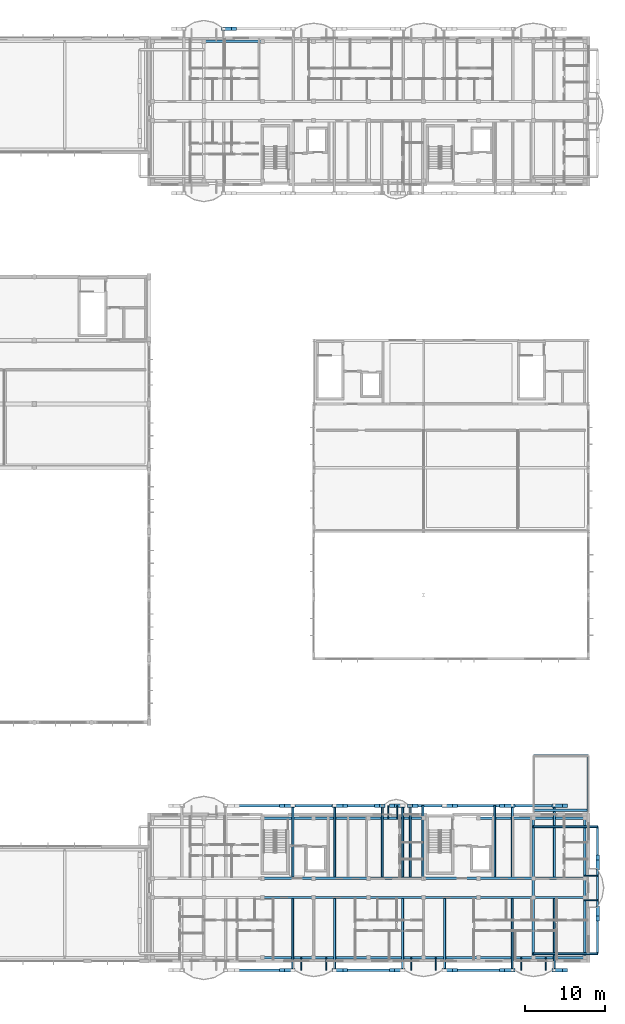
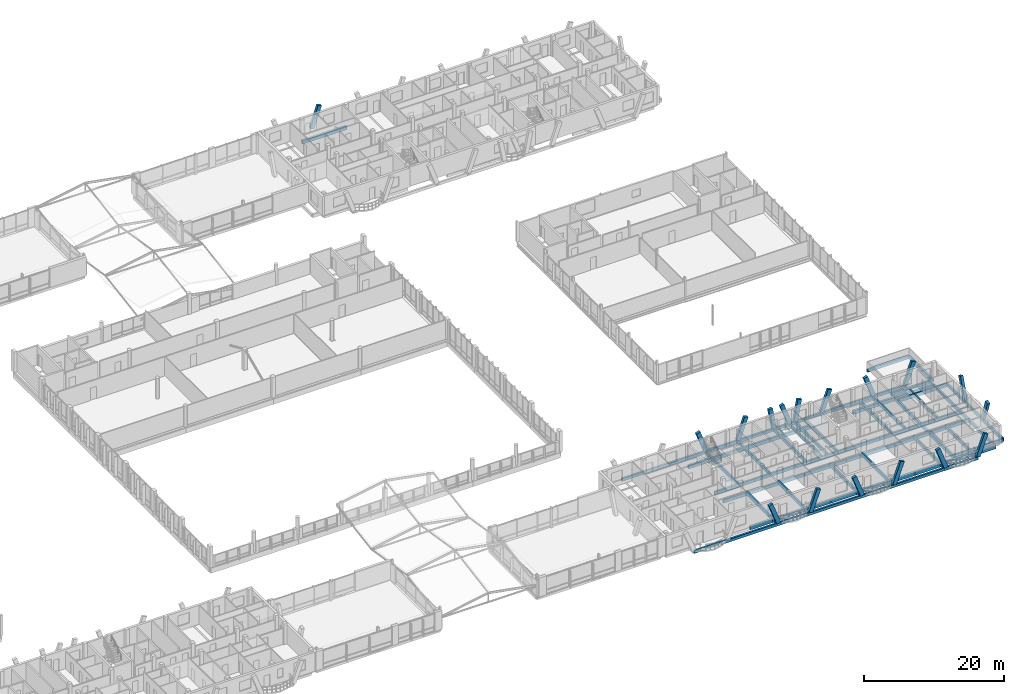
# One storey, part 107 of 189: 63 beams, 17 members.
"""IFC4 building model written with IfcOpenShell, lengths in metres."""

from ifc_helpers import new_model, si_unit, direction, frame, origin, origin_2d, place, context, subcontext, project, spatial, rectangle, i_section, extrude, material, material_profile, profile_set, type_object, element, save


model = new_model("IFC4")

# Units and contexts
model_context = context("Model", 3, precision=1e-05, world=origin(), true_north=direction((0.0, 1.0)))
body_context = subcontext(model_context, "Body", "Model", "MODEL_VIEW")
ifc_project = project(units=[si_unit("LENGTHUNIT", "METRE"), si_unit("AREAUNIT", "SQUARE_METRE"), si_unit("VOLUMEUNIT", "CUBIC_METRE"), si_unit("PLANEANGLEUNIT", "RADIAN"), si_unit("MASSUNIT", "GRAM", prefix="KILO")], contexts=[model_context])

# Site, building, storey
site_placement = place(None, origin())
site = spatial("IfcSite", under=ifc_project, at=site_placement, CompositionType="ELEMENT")
building_placement = place(site_placement, origin())
building = spatial("IfcBuilding", under=site, at=building_placement, Name="Zavelmont Quarter", CompositionType="ELEMENT")
storey_placement = place(building_placement, frame((0.0, 0.0, 4.39990234375)))
storey = spatial("IfcBuildingStorey", under=building, at=storey_placement, Name="L01", CompositionType="ELEMENT", Elevation=4.39990234375)

# Beams
ifc_material_1 = material(Name="Concrete C35/45", Category="concrete")
ifc_material_profile_1 = material_profile(ifc_material_1, rectangle(XDim=0.35009765625, YDim=0.60009765625, at=origin_2d()), Name="RC350X600")
ifc_profile_set_1 = profile_set([ifc_material_profile_1], Name="Concrete C35/45")
beam_type_1 = type_object("IfcBeamType", Name="BM01", PredefinedType="SPANDREL", material=ifc_profile_set_1)
beam_1_placement = place(storey_placement, frame((119.699951171875, 115.56005859375, -0.579833984375), z_axis=(1.0, 0.0, 0.0), x_axis=(0.0, 1.0, 0.0)))
element("IfcBeam", 1, at=beam_1_placement, inside=storey, type_object=beam_type_1, Name="L01 beam BM01 18/S to 19/S", PredefinedType="SPANDREL", context=body_context, shape_type="SweptSolid", body=[
    extrude(rectangle(XDim=0.35009765625, YDim=0.60009765625, at=origin_2d()), origin(), (0.0, 0.0, 1.0), 7.340087890625),
])
beam_2_placement = place(storey_placement, frame((127.0400390625, 0.43994140625, -0.579833984375), z_axis=(1.0, 0.0, 0.0), x_axis=(0.0, 1.0, 0.0)))
element("IfcBeam", 2, at=beam_2_placement, inside=storey, type_object=beam_type_1, Name="L01 beam BM01 19/A to 20/A", PredefinedType="SPANDREL", context=body_context, shape_type="SweptSolid", body=[
    extrude(rectangle(XDim=0.35009765625, YDim=0.60009765625, at=origin_2d()), origin(), (0.0, 0.0, 1.0), 6.4599609375),
])
beam_3_placement = place(storey_placement, frame((133.5, 0.43994140625, -0.579833984375), z_axis=(1.0, 0.0, 0.0), x_axis=(0.0, 1.0, 0.0)))
element("IfcBeam", 3, at=beam_3_placement, inside=storey, type_object=beam_type_1, Name="L01 beam BM01 20/A to 21/A", PredefinedType="SPANDREL", context=body_context, shape_type="SweptSolid", body=[
    extrude(rectangle(XDim=0.35009765625, YDim=0.60009765625, at=origin_2d()), origin(), (0.0, 0.0, 1.0), 6.89990234375),
])
beam_4_placement = place(storey_placement, frame((140.39990234375, 0.43994140625, -0.579833984375), z_axis=(1.0, 0.0, 0.0), x_axis=(0.0, 1.0, 0.0)))
element("IfcBeam", 4, at=beam_4_placement, inside=storey, type_object=beam_type_1, Name="L01 beam BM01 21/A to 22/A", PredefinedType="SPANDREL", context=body_context, shape_type="SweptSolid", body=[
    extrude(rectangle(XDim=0.35009765625, YDim=0.60009765625, at=origin_2d()), origin(), (0.0, 0.0, 1.0), 6.900146484375),
])
beam_5_placement = place(storey_placement, frame((147.300048828125, 0.43994140625, -0.579833984375), z_axis=(1.0, 0.0, 0.0), x_axis=(0.0, 1.0, 0.0)))
element("IfcBeam", 5, at=beam_5_placement, inside=storey, type_object=beam_type_1, Name="L01 beam BM01 22/A to 23/A", PredefinedType="SPANDREL", context=body_context, shape_type="SweptSolid", body=[
    extrude(rectangle(XDim=0.35009765625, YDim=0.60009765625, at=origin_2d()), origin(), (0.0, 0.0, 1.0), 6.89990234375),
])
beam_6_placement = place(storey_placement, frame((154.199951171875, 0.43994140625, -0.579833984375), z_axis=(1.0, 0.0, 0.0), x_axis=(0.0, 1.0, 0.0)))
element("IfcBeam", 6, at=beam_6_placement, inside=storey, type_object=beam_type_1, Name="L01 beam BM01 23/A to 24/A", PredefinedType="SPANDREL", context=body_context, shape_type="SweptSolid", body=[
    extrude(rectangle(XDim=0.35009765625, YDim=0.60009765625, at=origin_2d()), origin(), (0.0, 0.0, 1.0), 6.900146484375),
])
for number, where, z_axis, x_axis, name in (
    (7, (161.10009765625, 0.43994140625, -0.579833984375), (1.0, 0.0, 0.0), (0.0, 1.0, 0.0), "L01 beam BM01 24/A to 25/A"),
    (8, (127.0400390625, 17.9599609375, -0.579833984375), (1.0, 0.0, 0.0), (0.0, 1.0, 0.0), "L01 beam BM01 19/D to 20/D"),
):
    element("IfcBeam", number, at=place(storey_placement, frame(where, z_axis=z_axis, x_axis=x_axis)), inside=storey, type_object=beam_type_1, Name=name, PredefinedType="SPANDREL", context=body_context, shape_type="SweptSolid", body=[
        extrude(rectangle(XDim=0.35009765625, YDim=0.60009765625, at=origin_2d()), origin(), (0.0, 0.0, 1.0), 6.4599609375),
    ])
beam_7_placement = place(storey_placement, frame((133.5, 17.9599609375, -0.579833984375), z_axis=(1.0, 0.0, 0.0), x_axis=(0.0, 1.0, 0.0)))
element("IfcBeam", 9, at=beam_7_placement, inside=storey, type_object=beam_type_1, Name="L01 beam BM01 20/D to 21/D", PredefinedType="SPANDREL", context=body_context, shape_type="SweptSolid", body=[
    extrude(rectangle(XDim=0.35009765625, YDim=0.60009765625, at=origin_2d()), origin(), (0.0, 0.0, 1.0), 6.89990234375),
])
for number, where, z_axis, x_axis, name in (
    (10, (140.39990234375, 17.9599609375, -0.579833984375), (1.0, 0.0, 0.0), (0.0, 1.0, 0.0), "L01 beam BM01 21/D to 22/D"),
    (11, (154.199951171875, 17.9599609375, -0.579833984375), (1.0, 0.0, 0.0), (0.0, 1.0, 0.0), "L01 beam BM01 23/D to 24/D"),
):
    element("IfcBeam", number, at=place(storey_placement, frame(where, z_axis=z_axis, x_axis=x_axis)), inside=storey, type_object=beam_type_1, Name=name, PredefinedType="SPANDREL", context=body_context, shape_type="SweptSolid", body=[
        extrude(rectangle(XDim=0.35009765625, YDim=0.60009765625, at=origin_2d()), origin(), (0.0, 0.0, 1.0), 6.900146484375),
    ])
beam_8_placement = place(storey_placement, frame((161.10009765625, 17.9599609375, -0.579833984375), z_axis=(1.0, 0.0, 0.0), x_axis=(0.0, 1.0, 0.0)))
element("IfcBeam", 12, at=beam_8_placement, inside=storey, type_object=beam_type_1, Name="L01 beam BM01 24/D to 25/D", PredefinedType="SPANDREL", context=body_context, shape_type="SweptSolid", body=[
    extrude(rectangle(XDim=0.35009765625, YDim=0.60009765625, at=origin_2d()), origin(), (0.0, 0.0, 1.0), 6.4599609375),
])
ifc_material_profile_2 = material_profile(ifc_material_1, rectangle(XDim=0.300048828125, YDim=0.550048828125, at=origin_2d()), Name="RC300X550")
ifc_profile_set_2 = profile_set([ifc_material_profile_2], Name="Concrete C35/45")
beam_type_2 = type_object("IfcBeamType", Name="BM02", PredefinedType="SPANDREL", material=ifc_profile_set_2)
beam_9_placement = place(storey_placement, frame((127.0400390625, 8.0, -0.554931640625), z_axis=(1.0, 0.0, 0.0), x_axis=(0.0, 1.0, 0.0)))
element("IfcBeam", 13, at=beam_9_placement, inside=storey, type_object=beam_type_2, Name="L01 beam BM02 19/B to 20/B", PredefinedType="SPANDREL", context=body_context, shape_type="SweptSolid", body=[
    extrude(rectangle(XDim=0.300048828125, YDim=0.550048828125, at=origin_2d()), origin(), (0.0, 0.0, 1.0), 6.4599609375),
])
beam_10_placement = place(storey_placement, frame((133.5, 8.0, -0.554931640625), z_axis=(1.0, 0.0, 0.0), x_axis=(0.0, 1.0, 0.0)))
element("IfcBeam", 14, at=beam_10_placement, inside=storey, type_object=beam_type_2, Name="L01 beam BM02 20/B to 21/B", PredefinedType="SPANDREL", context=body_context, shape_type="SweptSolid", body=[
    extrude(rectangle(XDim=0.300048828125, YDim=0.550048828125, at=origin_2d()), origin(), (0.0, 0.0, 1.0), 6.89990234375),
])
beam_11_placement = place(storey_placement, frame((140.39990234375, 8.0, -0.554931640625), z_axis=(1.0, 0.0, 0.0), x_axis=(0.0, 1.0, 0.0)))
element("IfcBeam", 15, at=beam_11_placement, inside=storey, type_object=beam_type_2, Name="L01 beam BM02 21/B to 22/B", PredefinedType="SPANDREL", context=body_context, shape_type="SweptSolid", body=[
    extrude(rectangle(XDim=0.300048828125, YDim=0.550048828125, at=origin_2d()), origin(), (0.0, 0.0, 1.0), 6.900146484375),
])
beam_12_placement = place(storey_placement, frame((147.300048828125, 8.0, -0.554931640625), z_axis=(1.0, 0.0, 0.0), x_axis=(0.0, 1.0, 0.0)))
element("IfcBeam", 16, at=beam_12_placement, inside=storey, type_object=beam_type_2, Name="L01 beam BM02 22/B to 23/B", PredefinedType="SPANDREL", context=body_context, shape_type="SweptSolid", body=[
    extrude(rectangle(XDim=0.300048828125, YDim=0.550048828125, at=origin_2d()), origin(), (0.0, 0.0, 1.0), 6.89990234375),
])
beam_13_placement = place(storey_placement, frame((154.199951171875, 8.0, -0.554931640625), z_axis=(1.0, 0.0, 0.0), x_axis=(0.0, 1.0, 0.0)))
element("IfcBeam", 17, at=beam_13_placement, inside=storey, type_object=beam_type_2, Name="L01 beam BM02 23/B to 24/B", PredefinedType="SPANDREL", context=body_context, shape_type="SweptSolid", body=[
    extrude(rectangle(XDim=0.300048828125, YDim=0.550048828125, at=origin_2d()), origin(), (0.0, 0.0, 1.0), 6.900146484375),
])
for number, where, z_axis, x_axis, name in (
    (18, (161.10009765625, 8.0, -0.554931640625), (1.0, 0.0, 0.0), (0.0, 1.0, 0.0), "L01 beam BM02 24/B to 25/B"),
    (19, (127.0400390625, 10.39990234375, -0.554931640625), (1.0, 0.0, 0.0), (0.0, 1.0, 0.0), "L01 beam BM02 19/C to 20/C"),
):
    element("IfcBeam", number, at=place(storey_placement, frame(where, z_axis=z_axis, x_axis=x_axis)), inside=storey, type_object=beam_type_2, Name=name, PredefinedType="SPANDREL", context=body_context, shape_type="SweptSolid", body=[
        extrude(rectangle(XDim=0.300048828125, YDim=0.550048828125, at=origin_2d()), origin(), (0.0, 0.0, 1.0), 6.4599609375),
    ])
beam_14_placement = place(storey_placement, frame((133.5, 10.39990234375, -0.554931640625), z_axis=(1.0, 0.0, 0.0), x_axis=(0.0, 1.0, 0.0)))
element("IfcBeam", 20, at=beam_14_placement, inside=storey, type_object=beam_type_2, Name="L01 beam BM02 20/C to 21/C", PredefinedType="SPANDREL", context=body_context, shape_type="SweptSolid", body=[
    extrude(rectangle(XDim=0.300048828125, YDim=0.550048828125, at=origin_2d()), origin(), (0.0, 0.0, 1.0), 6.89990234375),
])
beam_15_placement = place(storey_placement, frame((140.39990234375, 10.39990234375, -0.554931640625), z_axis=(1.0, 0.0, 0.0), x_axis=(0.0, 1.0, 0.0)))
element("IfcBeam", 21, at=beam_15_placement, inside=storey, type_object=beam_type_2, Name="L01 beam BM02 21/C to 22/C", PredefinedType="SPANDREL", context=body_context, shape_type="SweptSolid", body=[
    extrude(rectangle(XDim=0.300048828125, YDim=0.550048828125, at=origin_2d()), origin(), (0.0, 0.0, 1.0), 6.900146484375),
])
beam_16_placement = place(storey_placement, frame((147.300048828125, 10.39990234375, -0.554931640625), z_axis=(1.0, 0.0, 0.0), x_axis=(0.0, 1.0, 0.0)))
element("IfcBeam", 22, at=beam_16_placement, inside=storey, type_object=beam_type_2, Name="L01 beam BM02 22/C to 23/C", PredefinedType="SPANDREL", context=body_context, shape_type="SweptSolid", body=[
    extrude(rectangle(XDim=0.300048828125, YDim=0.550048828125, at=origin_2d()), origin(), (0.0, 0.0, 1.0), 6.89990234375),
])
beam_17_placement = place(storey_placement, frame((154.199951171875, 10.39990234375, -0.554931640625), z_axis=(1.0, 0.0, 0.0), x_axis=(0.0, 1.0, 0.0)))
element("IfcBeam", 23, at=beam_17_placement, inside=storey, type_object=beam_type_2, Name="L01 beam BM02 23/C to 24/C", PredefinedType="SPANDREL", context=body_context, shape_type="SweptSolid", body=[
    extrude(rectangle(XDim=0.300048828125, YDim=0.550048828125, at=origin_2d()), origin(), (0.0, 0.0, 1.0), 6.900146484375),
])
beam_18_placement = place(storey_placement, frame((161.10009765625, 10.39990234375, -0.554931640625), z_axis=(1.0, 0.0, 0.0), x_axis=(0.0, 1.0, 0.0)))
element("IfcBeam", 24, at=beam_18_placement, inside=storey, type_object=beam_type_2, Name="L01 beam BM02 24/C to 25/C", PredefinedType="SPANDREL", context=body_context, shape_type="SweptSolid", body=[
    extrude(rectangle(XDim=0.300048828125, YDim=0.550048828125, at=origin_2d()), origin(), (0.0, 0.0, 1.0), 6.4599609375),
])
beam_19_placement = place(storey_placement, frame((161.10009765625, 0.43994140625, -0.554931640625), z_axis=(0.0, 1.0, 0.0), x_axis=(-1.0, 0.0, 0.0)))
element("IfcBeam", 25, at=beam_19_placement, inside=storey, type_object=beam_type_2, Name="L01 beam BM02 24/A to 24/B", PredefinedType="SPANDREL", context=body_context, shape_type="SweptSolid", body=[
    extrude(rectangle(XDim=0.300048828125, YDim=0.550048828125, at=origin_2d()), origin(), (0.0, 0.0, 1.0), 7.56005859375),
])
beam_20_placement = place(storey_placement, frame((161.10009765625, 8.0, -0.554931640625), z_axis=(0.0, 1.0, 0.0), x_axis=(-1.0, 0.0, 0.0)))
element("IfcBeam", 26, at=beam_20_placement, inside=storey, type_object=beam_type_2, Name="L01 beam BM02 24/B to 24/C", PredefinedType="SPANDREL", context=body_context, shape_type="SweptSolid", body=[
    extrude(rectangle(XDim=0.300048828125, YDim=0.550048828125, at=origin_2d()), origin(), (0.0, 0.0, 1.0), 2.39990234375),
])
for number, where, z_axis, x_axis, name in (
    (27, (161.10009765625, 10.39990234375, -0.554931640625), (0.0, 1.0, 0.0), (-1.0, 0.0, 0.0), "L01 beam BM02 24/C to 24/D"),
    (28, (167.56005859375, 0.43994140625, -0.554931640625), (0.0, 1.0, 0.0), (-1.0, 0.0, 0.0), "L01 beam BM02 25/A to 25/B"),
):
    element("IfcBeam", number, at=place(storey_placement, frame(where, z_axis=z_axis, x_axis=x_axis)), inside=storey, type_object=beam_type_2, Name=name, PredefinedType="SPANDREL", context=body_context, shape_type="SweptSolid", body=[
        extrude(rectangle(XDim=0.300048828125, YDim=0.550048828125, at=origin_2d()), origin(), (0.0, 0.0, 1.0), 7.56005859375),
    ])
beam_21_placement = place(storey_placement, frame((167.56005859375, 8.0, -0.554931640625), z_axis=(0.0, 1.0, 0.0), x_axis=(-1.0, 0.0, 0.0)))
element("IfcBeam", 29, at=beam_21_placement, inside=storey, type_object=beam_type_2, Name="L01 beam BM02 25/B to 25/C", PredefinedType="SPANDREL", context=body_context, shape_type="SweptSolid", body=[
    extrude(rectangle(XDim=0.300048828125, YDim=0.550048828125, at=origin_2d()), origin(), (0.0, 0.0, 1.0), 2.39990234375),
])
beam_22_placement = place(storey_placement, frame((167.56005859375, 10.39990234375, -0.554931640625), z_axis=(0.0, 1.0, 0.0), x_axis=(-1.0, 0.0, 0.0)))
element("IfcBeam", 30, at=beam_22_placement, inside=storey, type_object=beam_type_2, Name="L01 beam BM02 25/C to 25/D", PredefinedType="SPANDREL", context=body_context, shape_type="SweptSolid", body=[
    extrude(rectangle(XDim=0.300048828125, YDim=0.550048828125, at=origin_2d()), origin(), (0.0, 0.0, 1.0), 7.56005859375),
])
ifc_material_profile_3 = material_profile(ifc_material_1, rectangle(XDim=0.300048828125, YDim=0.5, at=origin_2d()), Name="RC300X500")
ifc_profile_set_3 = profile_set([ifc_material_profile_3], Name="Concrete C35/45")
beam_type_3 = type_object("IfcBeamType", Name="BM03", PredefinedType="BEAM", material=ifc_profile_set_3)
beam_23_placement = place(storey_placement, frame((161.10009765625, 25.800048828125, -0.4599609375), z_axis=(1.0, 0.0, 0.0), x_axis=(0.0, 1.0, 0.0)))
element("IfcBeam", 31, at=beam_23_placement, inside=storey, type_object=beam_type_3, Name="L01 beam BM03 24/E to 25/E", PredefinedType="BEAM", context=body_context, shape_type="SweptSolid", body=[
    extrude(rectangle(XDim=0.300048828125, YDim=0.5, at=origin_2d()), origin(), (0.0, 0.0, 1.0), 6.89990234375),
])
beam_24_placement = place(storey_placement, frame((168.0, 18.949951171875, -0.4599609375), z_axis=(0.0, 1.0, 0.0), x_axis=(-1.0, 0.0, 0.0)))
element("IfcBeam", 32, at=beam_24_placement, inside=storey, type_object=beam_type_3, Name="L01 beam BM03 25/D to 25/E", PredefinedType="BEAM", context=body_context, shape_type="SweptSolid", body=[
    extrude(rectangle(XDim=0.300048828125, YDim=0.5, at=origin_2d()), origin(), (0.0, 0.0, 1.0), 6.85009765625),
])
beam_25_placement = place(storey_placement, frame((161.10009765625, 18.949951171875, -0.4599609375), z_axis=(1.0, 0.0, 0.0), x_axis=(0.0, 1.0, 0.0)))
element("IfcBeam", 33, at=beam_25_placement, inside=storey, type_object=beam_type_3, Name="L01 beam BM03 24/D to 25/D", PredefinedType="BEAM", context=body_context, shape_type="SweptSolid", body=[
    extrude(rectangle(XDim=0.300048828125, YDim=0.5, at=origin_2d()), origin(), (0.0, 0.0, 1.0), 6.89990234375),
])
for number, where, z_axis, x_axis, name in (
    (34, (116.949951171875, -1.14990234375, -0.25), (1.0, 0.0, 0.0), (0.0, 1.0, 0.0), "L01 beam BM03 18/A to 24/A"),
    (35, (116.949951171875, 19.550048828125, -0.25), (1.0, 0.0, 0.0), (0.0, 1.0, 0.0), "L01 beam BM03 18/D to 24/D"),
):
    element("IfcBeam", number, at=place(storey_placement, frame(where, z_axis=z_axis, x_axis=x_axis)), inside=storey, type_object=beam_type_3, Name=name, PredefinedType="BEAM", context=body_context, shape_type="SweptSolid", body=[
        extrude(rectangle(XDim=0.300048828125, YDim=0.5, at=origin_2d()), origin(), (0.0, 0.0, 1.0), 46.782958984375),
    ])
beam_26_placement = place(storey_placement, frame((169.14990234375, 0.949951171875, -0.25), z_axis=(0.0, 1.0, 0.0), x_axis=(-1.0, 0.0, 0.0)))
element("IfcBeam", 36, at=beam_26_placement, inside=storey, type_object=beam_type_3, Name="L01 beam BM03 25/A to 25/D", PredefinedType="BEAM", context=body_context, shape_type="SweptSolid", body=[
    extrude(rectangle(XDim=0.300048828125, YDim=0.5, at=origin_2d()), origin(), (0.0, 0.0, 1.0), 15.949951171875),
])
ifc_material_2 = material(Name="Steel S355", Category="steel")
ifc_material_profile_4 = material_profile(ifc_material_2, i_section(OverallWidth=0.110107421875, OverallDepth=0.219970703125, WebThickness=0.005859375, FlangeThickness=0.00927734375, at=origin_2d()), Name="IPE 220")
ifc_profile_set_4 = profile_set([ifc_material_profile_4], Name="Steel S355")
beam_type_4 = type_object("IfcBeamType", Name="BM15", PredefinedType="JOIST", material=ifc_profile_set_4)
for number, where, z_axis, x_axis, name in (
    (37, (131.949951171875, 0.43994140625, -0.391845703125), (0.0, -1.0, 0.0), (1.0, 0.0, 0.0), "L01 beam BM15 20/A to 20/A"),
    (38, (135.050048828125, 0.43994140625, -0.391845703125), (0.0, -1.0, 0.0), (1.0, 0.0, 0.0), "L01 beam BM15 20/A to 20/A"),
    (39, (145.75, 0.43994140625, -0.391845703125), (0.0, -1.0, 0.0), (1.0, 0.0, 0.0), "L01 beam BM15 22/A to 22/A"),
    (40, (148.85009765625, 0.43994140625, -0.391845703125), (0.0, -1.0, 0.0), (1.0, 0.0, 0.0), "L01 beam BM15 22/A to 22/A"),
    (41, (159.550048828125, 0.43994140625, -0.391845703125), (0.0, -1.0, 0.0), (1.0, 0.0, 0.0), "L01 beam BM15 24/A to 24/A"),
    (42, (162.64990234375, 0.43994140625, -0.391845703125), (0.0, -1.0, 0.0), (1.0, 0.0, 0.0), "L01 beam BM15 24/A to 24/A"),
    (43, (167.56005859375, 7.64990234375, -0.391845703125), (1.0, 0.0, 0.0), (0.0, 1.0, 0.0), "L01 beam BM15 25/B to 25/B"),
    (44, (167.56005859375, 10.75, -0.391845703125), (1.0, 0.0, 0.0), (0.0, 1.0, 0.0), "L01 beam BM15 25/C to 25/C"),
):
    element("IfcBeam", number, at=place(storey_placement, frame(where, z_axis=z_axis, x_axis=x_axis)), inside=storey, type_object=beam_type_4, Name=name, PredefinedType="JOIST", context=body_context, shape_type="SweptSolid", body=[
        extrude(i_section(OverallWidth=0.110107421875, OverallDepth=0.219970703125, WebThickness=0.005859375, FlangeThickness=0.00927734375, at=origin_2d()), origin(), (0.0, 0.0, 1.0), 1.58984375),
    ])
for number, where, z_axis, x_axis, name in (
    (45, (142.87255859375, 17.9599609375, -0.391845703125), (0.0, 1.0, 0.0), (-1.0, 0.0, 0.0), "L01 beam BM15 21/D to 21/D"),
    (46, (143.997314453125, 17.9599609375, -0.391845703125), (0.0, 1.0, 0.0), (-1.0, 0.0, 0.0), "L01 beam BM15 22/D to 22/D"),
):
    element("IfcBeam", number, at=place(storey_placement, frame(where, z_axis=z_axis, x_axis=x_axis)), inside=storey, type_object=beam_type_4, Name=name, PredefinedType="JOIST", context=body_context, shape_type="SweptSolid", body=[
        extrude(i_section(OverallWidth=0.110107421875, OverallDepth=0.219970703125, WebThickness=0.005859375, FlangeThickness=0.00927734375, at=origin_2d()), origin(), (0.0, 0.0, 1.0), 1.590087890625),
    ])
ifc_material_3 = material(Name="Concrete C40/50", Category="concrete")
ifc_material_profile_5 = material_profile(ifc_material_3, rectangle(XDim=0.25, YDim=0.60009765625, at=origin_2d()), Name="RC250X600")
ifc_profile_set_5 = profile_set([ifc_material_profile_5], Name="Concrete C40/50")
beam_type_5 = type_object("IfcBeamType", Name="BM18", PredefinedType="BEAM", material=ifc_profile_set_5)
for number, where, z_axis, x_axis, name in (
    (47, (130.867431640625, 8.0, -0.2998046875), (0.0, -1.0, 0.0), (1.0, 0.0, 0.0), "L01 beam BM18 20/B to 20/A"),
    (48, (136.132568359375, 8.0, -0.2998046875), (0.0, -1.0, 0.0), (1.0, 0.0, 0.0), "L01 beam BM18 20/B to 20/A"),
    (49, (144.66748046875, 8.0, -0.2998046875), (0.0, -1.0, 0.0), (1.0, 0.0, 0.0), "L01 beam BM18 22/B to 22/A"),
    (50, (149.9326171875, 8.0, -0.2998046875), (0.0, -1.0, 0.0), (1.0, 0.0, 0.0), "L01 beam BM18 22/B to 22/A"),
    (51, (158.46728515625, 8.0, -0.2998046875), (0.0, -1.0, 0.0), (1.0, 0.0, 0.0), "L01 beam BM18 24/B to 24/A"),
    (52, (163.732666015625, 8.0, -0.2998046875), (0.0, -1.0, 0.0), (1.0, 0.0, 0.0), "L01 beam BM18 24/B to 24/A"),
):
    element("IfcBeam", number, at=place(storey_placement, frame(where, z_axis=z_axis, x_axis=x_axis)), inside=storey, type_object=beam_type_5, Name=name, PredefinedType="BEAM", context=body_context, shape_type="SweptSolid", body=[
        extrude(rectangle(XDim=0.25, YDim=0.60009765625, at=origin_2d()), origin(), (0.0, 0.0, 1.0), 9.14990234375),
    ])
for number, where, z_axis, x_axis, name in (
    (53, (130.867431640625, 10.39990234375, -0.2998046875), (0.0, 1.0, 0.0), (-1.0, 0.0, 0.0), "L01 beam BM18 20/C to 20/D"),
    (54, (136.132568359375, 10.39990234375, -0.2998046875), (0.0, 1.0, 0.0), (-1.0, 0.0, 0.0), "L01 beam BM18 20/C to 20/D"),
    (55, (144.66748046875, 10.39990234375, -0.2998046875), (0.0, 1.0, 0.0), (-1.0, 0.0, 0.0), "L01 beam BM18 22/C to 22/D"),
    (56, (147.199951171875, 10.39990234375, -0.2998046875), (0.0, 1.0, 0.0), (-1.0, 0.0, 0.0), "L01 beam BM18 22/C to 22/D"),
    (57, (156.22509765625, 10.39990234375, -0.2998046875), (0.0, 1.0, 0.0), (-1.0, 0.0, 0.0), "L01 beam BM18 23/C to 23/D"),
    (58, (158.46728515625, 10.39990234375, -0.2998046875), (0.0, 1.0, 0.0), (-1.0, 0.0, 0.0), "L01 beam BM18 24/C to 24/D"),
    (59, (163.732666015625, 10.39990234375, -0.2998046875), (0.0, 1.0, 0.0), (-1.0, 0.0, 0.0), "L01 beam BM18 24/C to 24/D"),
    (60, (142.1025390625, 10.39990234375, -0.2998046875), (0.0, 1.0, 0.0), (-1.0, 0.0, 0.0), "L01 beam BM18 21/C to 21/D"),
    (61, (145.597412109375, 10.39990234375, -0.2998046875), (0.0, 1.0, 0.0), (-1.0, 0.0, 0.0), "L01 beam BM18 22/C to 22/D"),
):
    element("IfcBeam", number, at=place(storey_placement, frame(where, z_axis=z_axis, x_axis=x_axis)), inside=storey, type_object=beam_type_5, Name=name, PredefinedType="BEAM", context=body_context, shape_type="SweptSolid", body=[
        extrude(rectangle(XDim=0.25, YDim=0.60009765625, at=origin_2d()), origin(), (0.0, 0.0, 1.0), 9.150146484375),
    ])
for number, where, z_axis, x_axis, name in (
    (62, (161.10009765625, 0.949951171875, -0.2998046875), (1.0, 0.0, 0.0), (0.0, 1.0, 0.0), "L01 beam BM18 24/A to 25/A"),
    (63, (161.10009765625, 16.89990234375, -0.2998046875), (1.0, 0.0, 0.0), (0.0, 1.0, 0.0), "L01 beam BM18 24/D to 25/D"),
):
    element("IfcBeam", number, at=place(storey_placement, frame(where, z_axis=z_axis, x_axis=x_axis)), inside=storey, type_object=beam_type_5, Name=name, PredefinedType="BEAM", context=body_context, shape_type="SweptSolid", body=[
        extrude(rectangle(XDim=0.25, YDim=0.60009765625, at=origin_2d()), origin(), (0.0, 0.0, 1.0), 8.0498046875),
    ])

# Members
ifc_material_4 = material(Name="White architectural precast concrete C40/50", Category="concrete")
ifc_material_profile_6 = material_profile(ifc_material_4, rectangle(XDim=0.43994140625, YDim=0.659912109375, at=origin_2d()), Name="PCR320X480")
ifc_profile_set_6 = profile_set([ifc_material_profile_6], Name="White architectural precast concrete C40/50")
member_type = type_object("IfcMemberType", Name="VR01M", PredefinedType="CHORD", material=ifc_profile_set_6)
member_placement = place(storey_placement, frame((122.2265625, 117.14990234375, 0.0), z_axis=(0.327431859499, 0.0, 0.944874794555), x_axis=(0.0, 1.0, 0.0)))
element("IfcMember", 64, at=member_placement, inside=storey, type_object=member_type, Name="L01 member VR01M 18/S to 19/S", PredefinedType="CHORD", context=body_context, shape_type="SweptSolid", body=[
    extrude(rectangle(XDim=0.43994140625, YDim=0.659912109375, at=origin_2d()), origin(), (0.0, 0.0, 1.0), 3.81005859375),
])
for number, where, z_axis, x_axis, name in (
    (65, (130.867431640625, -1.14990234375, 0.0), (-0.345608040191, 0.0, 0.93837896532), (0.0, -1.0, 0.0), "L01 member VR01M 20/A to 19/A"),
    (66, (136.132568359375, -1.14990234375, 0.0), (0.345608040191, 0.0, 0.93837896532), (0.0, 1.0, 0.0), "L01 member VR01M 20/A to 21/A"),
    (67, (144.66748046875, -1.14990234375, 0.0), (-0.345608040191, 0.0, 0.93837896532), (0.0, -1.0, 0.0), "L01 member VR01M 22/A to 21/A"),
    (68, (149.9326171875, -1.14990234375, 0.0), (0.345608040191, 0.0, 0.93837896532), (0.0, 1.0, 0.0), "L01 member VR01M 22/A to 23/A"),
    (69, (158.46728515625, -1.14990234375, 0.0), (-0.345552003189, 0.0, 0.938399602031), (0.0, -1.0, 0.0), "L01 member VR01M 24/A to 23/A"),
    (70, (163.732666015625, -1.14990234375, 0.0), (0.345608040191, 0.0, 0.93837896532), (0.0, 1.0, 0.0), "L01 member VR01M 24/A to 25/A"),
    (71, (130.867431640625, 19.550048828125, 0.0), (-0.345608040191, 0.0, 0.93837896532), (0.0, -1.0, 0.0), "L01 member VR01M 20/D to 19/D"),
    (72, (136.132568359375, 19.550048828125, 0.0), (0.345608040191, 0.0, 0.93837896532), (0.0, 1.0, 0.0), "L01 member VR01M 20/D to 21/D"),
    (73, (144.66748046875, 19.550048828125, 0.0), (-0.345608040191, 0.0, 0.93837896532), (0.0, -1.0, 0.0), "L01 member VR01M 22/D to 21/D"),
    (74, (149.9326171875, 19.550048828125, 0.0), (0.345608040191, 0.0, 0.93837896532), (0.0, 1.0, 0.0), "L01 member VR01M 22/D to 23/D"),
    (75, (158.46728515625, 19.550048828125, 0.0), (-0.345552003189, 0.0, 0.938399602031), (0.0, -1.0, 0.0), "L01 member VR01M 24/D to 23/D"),
    (76, (163.732666015625, 19.550048828125, 0.0), (0.345608040191, 0.0, 0.93837896532), (0.0, 1.0, 0.0), "L01 member VR01M 24/D to 25/D"),
):
    element("IfcMember", number, at=place(storey_placement, frame(where, z_axis=z_axis, x_axis=x_axis)), inside=storey, type_object=member_type, Name=name, PredefinedType="CHORD", context=body_context, shape_type="SweptSolid", body=[
        extrude(rectangle(XDim=0.43994140625, YDim=0.659912109375, at=origin_2d()), origin(), (0.0, 0.0, 1.0), 3.83642578125),
    ])
for number, where, z_axis, x_axis, name in (
    (77, (142.1025390625, 19.550048828125, 0.0), (-0.179331613939, 0.0, 0.983788682717), (0.0, -1.0, 0.0), "L01 member VR01M 21/D to 21/D"),
    (78, (145.597412109375, 19.550048828125, 0.0), (0.179396182847, 0.0, 0.983776910473), (0.0, 1.0, 0.0), "L01 member VR01M 22/D to 22/D"),
):
    element("IfcMember", number, at=place(storey_placement, frame(where, z_axis=z_axis, x_axis=x_axis)), inside=storey, type_object=member_type, Name=name, PredefinedType="CHORD", context=body_context, shape_type="SweptSolid", body=[
        extrude(rectangle(XDim=0.43994140625, YDim=0.659912109375, at=origin_2d()), origin(), (0.0, 0.0, 1.0), 3.659423828125),
    ])
for number, where, z_axis, x_axis, name in (
    (79, (169.14990234375, 6.6328125, 0.0), (0.0, -0.33449773284, 0.94239655492), (1.0, 0.0, 0.0), "L01 member VR01M 25/B to 25/B"),
    (80, (169.14990234375, 11.767333984375, 0.0), (0.0, 0.334440973051, 0.942416699525), (-1.0, 0.0, 0.0), "L01 member VR01M 25/C to 25/C"),
):
    element("IfcMember", number, at=place(storey_placement, frame(where, z_axis=z_axis, x_axis=x_axis)), inside=storey, type_object=member_type, Name=name, PredefinedType="CHORD", context=body_context, shape_type="SweptSolid", body=[
        extrude(rectangle(XDim=0.43994140625, YDim=0.659912109375, at=origin_2d()), origin(), (0.0, 0.0, 1.0), 3.820068359375),
    ])

save(model, "model.ifc")
